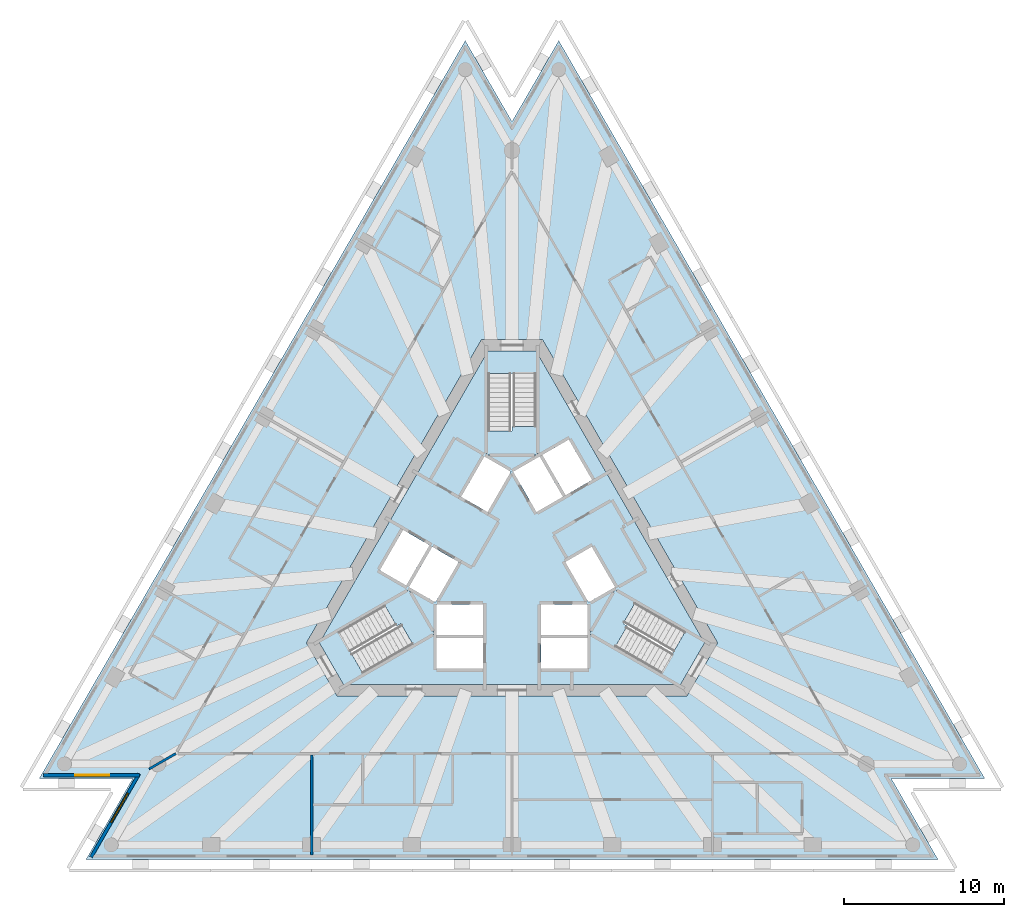
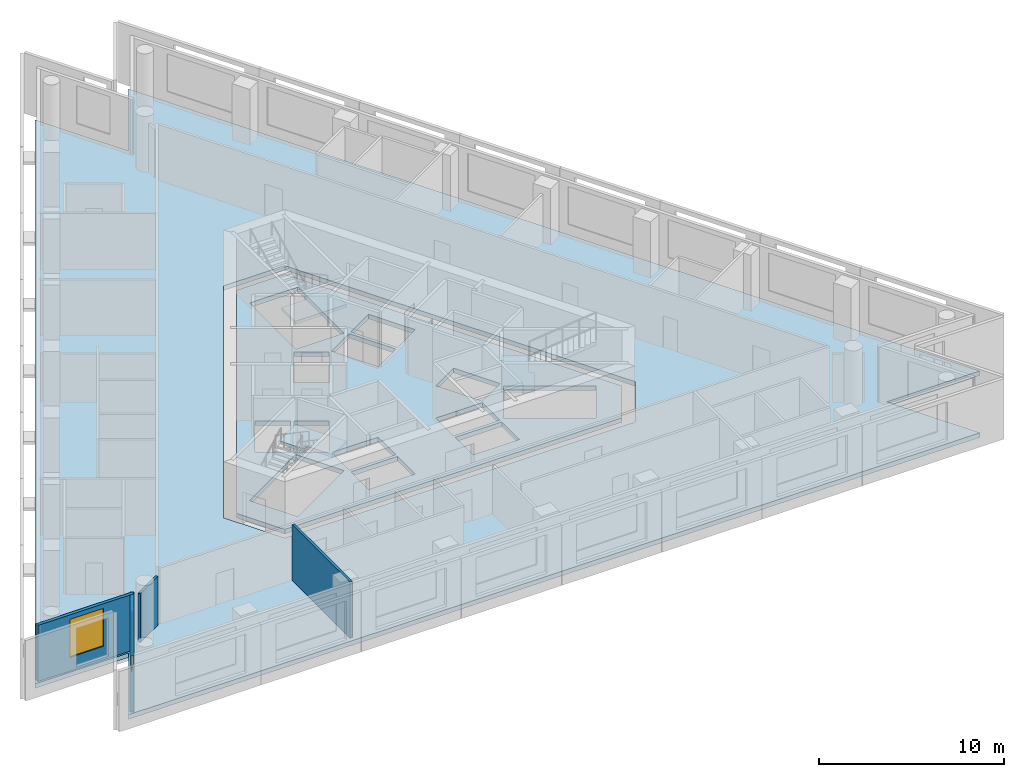
# One storey, part 2 of 10: 5 slabs, 4 walls, 2 windows, 2 openings, 3 elements without a shape of their own.
"""IFC4 building model written with IfcOpenShell, lengths in metres."""

from ifc_helpers import new_model, si_unit, direction, frame, frame_2d, origin, place, context, subcontext, project, spatial, polyline, rectangle, outline, extrude, material, layer, layer_set, layer_usage, type_object, element, fill, aggregate, save


model = new_model("IFC4")

# Units and contexts
model_context = context("Model", 3, precision=1e-05, world=origin(), true_north=direction((0.0, 1.0)))
body_context = subcontext(model_context, "Body", "Model", "MODEL_VIEW")
ifc_project = project(units=[si_unit("LENGTHUNIT", "METRE"), si_unit("AREAUNIT", "SQUARE_METRE"), si_unit("VOLUMEUNIT", "CUBIC_METRE"), si_unit("PLANEANGLEUNIT", "RADIAN"), si_unit("MASSUNIT", "GRAM", prefix="KILO")], contexts=[model_context])

# Site, building, storey
site_placement = place(None, origin())
site = spatial("IfcSite", under=ifc_project, at=site_placement, CompositionType="ELEMENT")
building_placement = place(site_placement, origin())
building = spatial("IfcBuilding", under=site, at=building_placement, Name="Triada Interchange Tower", CompositionType="ELEMENT")
storey_placement = place(building_placement, frame((0.0, 0.0, 199.300048828125)))
storey = spatial("IfcBuildingStorey", under=building, at=storey_placement, Name="L46", CompositionType="ELEMENT", Elevation=199.300048828125)

# Slabs
ifc_material_1 = material(Name="Concrete C50/60", Category="concrete")
ifc_layer_1 = layer(ifc_material_1, 0.300048828125)
ifc_layer_set_1 = layer_set([ifc_layer_1], Name="Floor slab 300")
slab_type_1 = type_object("IfcSlabType", Name="Floor slab 300", PredefinedType="FLOOR", material=ifc_layer_set_1)
slab_1_placement = place(storey_placement, frame((0.0, 0.0, -0.300048828125)))
element("IfcSlab", 1, at=slab_1_placement, inside=storey, type_object=slab_type_1, Name="Floor slab L46", PredefinedType="FLOOR", context=body_context, shape_type="SweptSolid", body=[
    extrude(outline(polyline([(-2.9140625, 32.342041015625), (-29.466064453125, -13.64697265625), (-23.637939453125, -13.64697265625), (-26.552001953125, -18.695068359375), (26.552001953125, -18.695068359375), (23.637939453125, -13.64697265625), (29.466064453125, -13.64697265625), (2.9140625, 32.342041015625), (0.0, 27.294921875), (-2.9140625, 32.342041015625)]), holes=[polyline([(1.905029296875, 13.699951171875), (-1.905029296875, 13.699951171875), (-12.81689453125, -5.199951171875), (-10.912109375, -8.5), (10.912109375, -8.5), (12.81689453125, -5.199951171875), (1.905029296875, 13.699951171875)])]), origin(), (0.0, 0.0, 1.0), 0.300048828125),
])
slab_2_placement = place(storey_placement, frame((0.0, 0.0, -0.300048828125)))
element("IfcSlab", 2, at=slab_2_placement, inside=storey, type_object=slab_type_1, Name="Core floor slab L46 1", PredefinedType="FLOOR", context=body_context, shape_type="SweptSolid", body=[
    extrude(outline(polyline([(12.009033203125, -5.199951171875), (10.508056640625, -7.800048828125), (-10.508056640625, -7.800048828125), (-12.009033203125, -5.199951171875), (-1.5009765625, 13.0), (1.5009765625, 13.0), (12.009033203125, -5.199951171875)]), holes=[polyline([(9.2958984375, -7.09912109375), (10.7958984375, -4.5009765625), (6.466064453125, -2.0009765625), (4.966064453125, -4.59912109375), (9.2958984375, -7.09912109375)]), polyline([(4.77490234375, -2.669921875), (6.419921875, -1.719970703125), (4.969970703125, 0.791015625), (4.137939453125, 0.31103515625), (3.324951171875, -0.158935546875), (4.77490234375, -2.669921875)]), polyline([(1.89404296875, 6.52001953125), (3.343994140625, 4.009033203125), (4.989013671875, 4.958984375), (3.5390625, 7.469970703125), (1.89404296875, 6.52001953125)]), polyline([(1.800048828125, -4.89990234375), (1.800048828125, -6.4990234375), (1.800048828125, -6.800048828125), (4.699951171875, -6.800048828125), (4.699951171875, -4.89990234375), (1.800048828125, -4.89990234375)]), polyline([(4.699951171875, -2.800048828125), (1.800048828125, -2.800048828125), (1.800048828125, -4.699951171875), (4.699951171875, -4.699951171875), (4.699951171875, -2.800048828125)]), polyline([(0.074951171875, 5.469970703125), (1.52490234375, 2.958984375), (3.169921875, 3.908935546875), (1.719970703125, 6.419921875), (0.074951171875, 5.469970703125)]), polyline([(-1.5, 11.60009765625), (-1.5, 6.60009765625), (1.5, 6.60009765625), (1.5, 11.60009765625), (-1.5, 11.60009765625)]), polyline([(-1.52490234375, 2.958984375), (-0.074951171875, 5.469970703125), (-1.719970703125, 6.419921875), (-3.169921875, 3.908935546875), (-1.52490234375, 2.958984375)]), polyline([(-1.800048828125, -2.800048828125), (-4.699951171875, -2.800048828125), (-4.699951171875, -4.699951171875), (-1.800048828125, -4.699951171875), (-1.800048828125, -2.800048828125)]), polyline([(-4.699951171875, -6.800048828125), (-1.800048828125, -6.800048828125), (-1.800048828125, -6.4990234375), (-1.800048828125, -4.89990234375), (-4.699951171875, -4.89990234375), (-4.699951171875, -6.800048828125)]), polyline([(-3.367919921875, -0.134033203125), (-4.969970703125, 0.791015625), (-6.419921875, -1.719970703125), (-4.77490234375, -2.669921875), (-3.324951171875, -0.158935546875), (-3.367919921875, -0.134033203125)]), polyline([(-10.7958984375, -4.5009765625), (-9.2958984375, -7.09912109375), (-4.966064453125, -4.59912109375), (-6.466064453125, -2.0009765625), (-10.7958984375, -4.5009765625)]), polyline([(-6.593994140625, -1.6201171875), (-5.14404296875, 0.89111328125), (-6.7890625, 1.841064453125), (-8.239013671875, -0.669921875), (-6.593994140625, -1.6201171875)])]), origin(), (0.0, 0.0, 1.0), 0.300048828125),
])

# Stair, slab
ifc_material_2 = material(Name="Concrete C35/45", Category="concrete")
stair_type = type_object("IfcStairType", Name="HALF TURN STAIR 1400", PredefinedType="HALF_TURN_STAIR", material=ifc_material_2)
stair_1_placement = place(storey_placement, origin())
stair_1 = element("IfcStair", 3, at=stair_1_placement, inside=storey, type_object=stair_type, Name="Exit stair S44-1", PredefinedType="HALF_TURN_STAIR")
ifc_layer_2 = layer(ifc_material_2, 0.199951171875)
ifc_layer_set_2 = layer_set([ifc_layer_2], Name="STAIR LANDING 200")
slab_type_2 = type_object("IfcSlabType", Name="STAIR LANDING 200", PredefinedType="LANDING", material=ifc_layer_set_2)
slab_3_placement = place(storey_placement, frame((0.0, 0.0, 1.719970703125)))
slab_3 = element("IfcSlab", 4, at=slab_3_placement, type_object=slab_type_2, Name="S44-1 landing 1", PredefinedType="LANDING", context=body_context, shape_type="SweptSolid", body=[
    extrude(outline(polyline([(1.60009765625, 6.5), (1.60009765625, 8.300048828125), (0.0, 8.300048828125), (0.0, 8.0), (-1.60009765625, 8.0), (-1.60009765625, 6.5), (1.60009765625, 6.5)])), origin(), (0.0, 0.0, 1.0), 0.199951171875),
])
aggregate(stair_1, [slab_3])

stair_2_placement = place(storey_placement, origin())
stair_2 = element("IfcStair", 5, at=stair_2_placement, inside=storey, type_object=stair_type, Name="Exit stair S44-2", PredefinedType="HALF_TURN_STAIR")
slab_4_placement = place(storey_placement, frame((0.0, 0.0, 1.719970703125)))
slab_4 = element("IfcSlab", 6, at=slab_4_placement, type_object=slab_type_2, Name="S44-2 landing 1", PredefinedType="LANDING", context=body_context, shape_type="SweptSolid", body=[
    extrude(outline(polyline([(-6.428955078125, -1.864013671875), (-7.988037109375, -2.763916015625), (-7.18798828125, -4.14990234375), (-6.927978515625, -4.0), (-6.1279296875, -5.385986328125), (-4.8291015625, -4.635986328125), (-6.428955078125, -1.864013671875)])), origin(), (0.0, 0.0, 1.0), 0.199951171875),
])
aggregate(stair_2, [slab_4])

stair_3_placement = place(storey_placement, origin())
stair_3 = element("IfcStair", 7, at=stair_3_placement, inside=storey, type_object=stair_type, Name="Exit stair S44-3", PredefinedType="HALF_TURN_STAIR")
slab_5_placement = place(storey_placement, frame((0.0, 0.0, 1.719970703125)))
slab_5 = element("IfcSlab", 8, at=slab_5_placement, type_object=slab_type_2, Name="S44-3 landing 1", PredefinedType="LANDING", context=body_context, shape_type="SweptSolid", body=[
    extrude(outline(polyline([(4.8291015625, -4.635986328125), (6.387939453125, -5.535888671875), (7.18798828125, -4.14990234375), (6.927978515625, -4.0), (7.72802734375, -2.614013671875), (6.428955078125, -1.864013671875), (4.8291015625, -4.635986328125)])), origin(), (0.0, 0.0, 1.0), 0.199951171875),
])
aggregate(stair_3, [slab_5])

# Wall, opening, window
ifc_material_3 = material(Name="Cement board")
ifc_layer_3 = layer(ifc_material_3, 0.02001953125, Name="Cement board cladding")
ifc_material_4 = material(Name="Sheathing board")
ifc_layer_4 = layer(ifc_material_4, 0.014892578125, Name="Sheathing board")
ifc_material_5 = material(Name="Mineral wool")
ifc_layer_5 = layer(ifc_material_5, 0.14990234375, Name="Mineral wool between steel studs")
ifc_material_6 = material(Name="Gypsum board")
ifc_layer_6 = layer(ifc_material_6, 0.014892578125, Name="Plasterboard lining")
ifc_layer_set_3 = layer_set([ifc_layer_3, ifc_layer_4, ifc_layer_5, ifc_layer_6], Name="External wall 200")
ifc_layer_usage = layer_usage(ifc_layer_set_3, "AXIS2", "POSITIVE", -0.10009765625)
wall_type_1 = type_object("IfcWallType", Name="External wall 200", PredefinedType="ELEMENTEDWALL", material=ifc_layer_set_3)
wall_1_placement = place(storey_placement, frame((-29.2099609375, -13.447021484375, 0.0), z_axis=(0.0, 0.0, 1.0), x_axis=(1.0, 0.0, 0.0)))
wall_1 = element("IfcWall", 9, at=wall_1_placement, inside=storey, type_object=wall_type_1, material=ifc_layer_usage, Name="External wall L46 SW-1", PredefinedType="ELEMENTEDWALL", context=body_context, shape_type="SweptSolid", body=[
    extrude(rectangle(XDim=5.988037109375, YDim=0.199951171875, at=frame_2d((2.994140625, 0.0))), origin(), (0.0, 0.0, 1.0), 3.699951171875),
])
opening_1_placement = place(wall_1_placement, frame((1.989990234375, 0.0, 0.89990234375)))
opening_1 = element("IfcOpeningElement", 10, at=opening_1_placement, cuts=wall_1, Name="Opening WC09", PredefinedType="OPENING", context=body_context, shape_type="SweptSolid", body=[
    extrude(rectangle(XDim=2.10009765625, YDim=2.5, at=frame_2d((1.050048828125, 1.25))), frame((0.0, 0.10986328125, 0.0), z_axis=(0.0, -1.0, 0.0), x_axis=(1.0, 0.0, 0.0)), (0.0, 0.0, 1.0), 0.219970703125),
])
ifc_material_7 = material(Name="Double glazed aluminium window", Category="aluminium")
window_type = type_object("IfcWindowType", Name="Ribbon window C pocket", PartitioningType="SINGLE_PANEL", PredefinedType="WINDOW", material=ifc_material_7)
window_1_placement = place(opening_1_placement, origin())
window_1 = element("IfcWindow", 11, at=window_1_placement, inside=storey, type_object=window_type, Name="Window L46 SW-1 1", OverallHeight=2.5, OverallWidth=2.10009765625, PartitioningType="SINGLE_PANEL", PredefinedType="WINDOW", context=body_context, shape_type="SweptSolid", body=[
    extrude(rectangle(XDim=2.10009765625, YDim=2.5, at=frame_2d((1.050048828125, 1.25))), frame((0.0, 0.030029296875, 0.0), z_axis=(0.0, -1.0, 0.0), x_axis=(1.0, 0.0, 0.0)), (0.0, 0.0, 1.0), 0.06005859375),
])
fill(opening_1, window_1)

wall_2_placement = place(storey_placement, frame((-23.2470703125, -13.368896484375, 0.0), z_axis=(0.0, 0.0, 1.0), x_axis=(-0.499896541353, -0.866085127423, 0.0)))
wall_2 = element("IfcWall", 12, at=wall_2_placement, inside=storey, type_object=wall_type_1, material=ifc_layer_usage, Name="External wall L46 SW-2", PredefinedType="ELEMENTEDWALL", context=body_context, shape_type="SweptSolid", body=[
    extrude(rectangle(XDim=5.989013671875, YDim=0.199951171875, at=frame_2d((2.99462890625, 0.0))), origin(), (0.0, 0.0, 1.0), 3.699951171875),
])
opening_2_placement = place(wall_2_placement, frame((1.389892578125, 0.0, 0.89990234375)))
opening_2 = element("IfcOpeningElement", 13, at=opening_2_placement, cuts=wall_2, Name="Opening WC10", PredefinedType="OPENING", context=body_context, shape_type="SweptSolid", body=[
    extrude(rectangle(XDim=2.10009765625, YDim=2.5, at=frame_2d((1.050048828125, 1.25))), frame((0.0, 0.10986328125, 0.0), z_axis=(0.0, -1.0, 0.0), x_axis=(1.0, 0.0, 0.0)), (0.0, 0.0, 1.0), 0.219970703125),
])
window_2_placement = place(opening_2_placement, origin())
window_2 = element("IfcWindow", 14, at=window_2_placement, inside=storey, type_object=window_type, Name="Window L46 SW-2 1", OverallHeight=2.5, OverallWidth=2.10009765625, PartitioningType="SINGLE_PANEL", PredefinedType="WINDOW", context=body_context, shape_type="SweptSolid", body=[
    extrude(rectangle(XDim=2.10009765625, YDim=2.5, at=frame_2d((1.050048828125, 1.25))), frame((0.0, 0.030029296875, 0.0), z_axis=(0.0, -1.0, 0.0), x_axis=(1.0, 0.0, 0.0)), (0.0, 0.0, 1.0), 0.06005859375),
])
fill(opening_2, window_2)

# Walls
ifc_material_8 = material(Name="Gypsum board partition")
ifc_layer_7 = layer(ifc_material_8, 0.14990234375)
ifc_layer_set_4 = layer_set([ifc_layer_7], Name="PARTITION 150 EI 180")
wall_type_2 = type_object("IfcWallType", Name="PARTITION 150 EI 180", PredefinedType="PARTITIONING", material=ifc_layer_set_4)
wall_3_placement = place(storey_placement, frame((-22.615966796875, -13.056884765625, 0.0), z_axis=(0.0, 0.0, 1.0), x_axis=(0.866030650962, 0.499990911512, 0.0)))
element("IfcWall", 15, at=wall_3_placement, inside=storey, type_object=wall_type_2, Name="Wall L44 1", PredefinedType="PARTITIONING", context=body_context, shape_type="SweptSolid", body=[
    extrude(rectangle(XDim=1.91552734375, YDim=0.14990234375, at=frame_2d((0.957763671875, 0.0))), origin(), (0.0, 0.0, 1.0), 3.199951171875),
])
wall_4_placement = place(storey_placement, frame((-12.49609375, -18.4150390625, 0.0), z_axis=(0.0, 0.0, 1.0), x_axis=(0.0, 1.0, 0.0)))
element("IfcWall", 16, at=wall_4_placement, inside=storey, type_object=wall_type_2, Name="Wall L44 13", PredefinedType="PARTITIONING", context=body_context, shape_type="SweptSolid", body=[
    extrude(rectangle(XDim=6.239990234375, YDim=0.14990234375, at=frame_2d((3.1201171875, 0.0))), origin(), (0.0, 0.0, 1.0), 3.699951171875),
])

save(model, "model.ifc")
